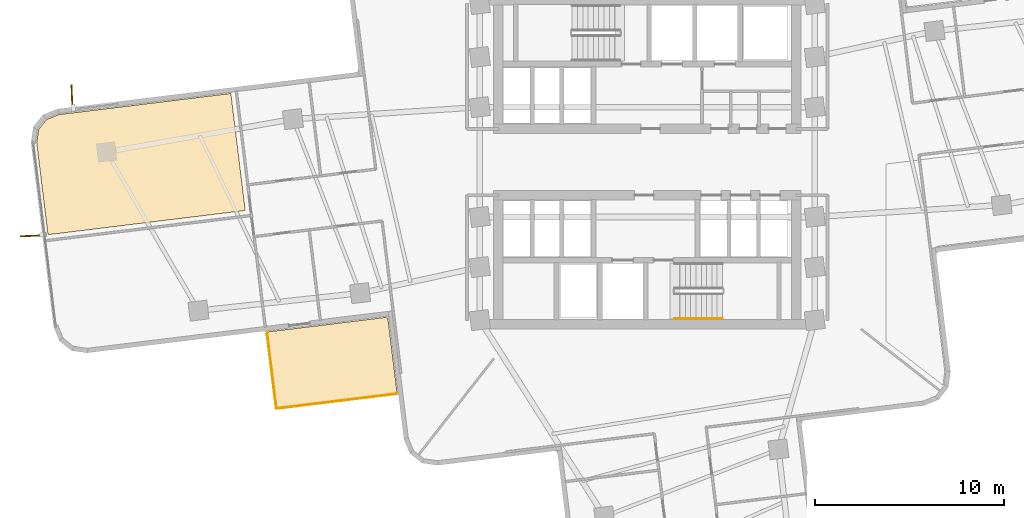
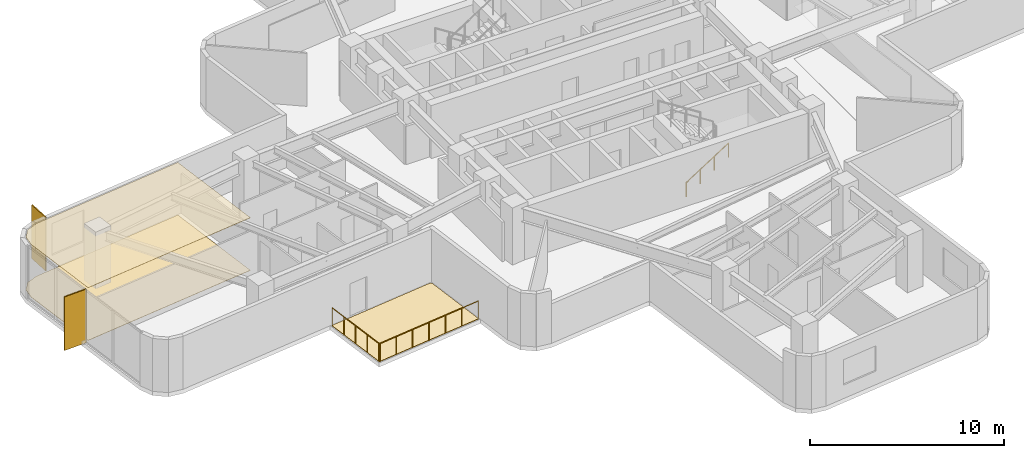
# One storey, part 11 of 13: 3 coverings, 3 railings, 2 shading devices.
"""IFC4 building model written with IfcOpenShell, lengths in metres."""

import ifcopenshell
import ifcopenshell.guid

model = None  # the IFC model being written
_history = None  # IfcOwnerHistory: only IFC2X3 demands one
_inside = {}  # id of a spatial element -> (the spatial element, [elements in it])
_under = {}  # id of a project, library or spatial element -> (it, [spatial elements below it])
_declared = {}  # id of a project -> (the project, [libraries it declares])
_typed = {}  # id of a type object -> (the type object, [elements of that type])
_made_of = {}  # id of a material, layer set ... -> (it, [elements and type objects made of it])


def new_model(schema):
    """Start an empty IFC model of exactly this schema.

    Asked for "IFC4X3", IfcOpenShell would pick the latest addendum, in which some entities
    have other attributes; the version numbers below select the first issue.
    IFC2X3 requires an IfcOwnerHistory on every rooted entity: one is made here for all.
    """
    global model, _history
    if schema == "IFC4X3":
        model = ifcopenshell.file(schema_version=(4, 3, 0, 0))
    else:
        model = ifcopenshell.file(schema=schema)
    _inside.clear()
    _under.clear()
    _declared.clear()
    _typed.clear()
    _made_of.clear()
    _history = None
    if model.schema == "IFC2X3":
        org = make("IfcOrganization", Name="unknown")
        user = make(
            "IfcPersonAndOrganization",
            ThePerson=make("IfcPerson", FamilyName="unknown"),
            TheOrganization=org,
        )
        app = make(
            "IfcApplication",
            ApplicationDeveloper=org,
            Version="unknown",
            ApplicationFullName="unknown",
            ApplicationIdentifier="unknown",
        )
        _history = make(
            "IfcOwnerHistory",
            OwningUser=user,
            OwningApplication=app,
            ChangeAction="ADDED",
            CreationDate=0,
        )
    return model


def make(cls, **values):
    """One entity of the class cls with the attributes given. An attribute that is None is left unset."""
    return model.create_entity(
        cls, **{name: value for name, value in values.items() if value is not None}
    )


def rooted(cls, **values):
    """An entity with a GlobalId (a new one), such as an element, a storey or a relation."""
    return make(cls, GlobalId=ifcopenshell.guid.new(), OwnerHistory=_history, **values)


def si_unit(unit_type, name, prefix=None):
    """IfcSIUnit, for example si_unit("LENGTHUNIT", "METRE", prefix="MILLI")."""
    return make("IfcSIUnit", UnitType=unit_type, Prefix=prefix, Name=name)


def assignment(units):
    """IfcUnitAssignment: the units of a project."""
    return None if units is None else make("IfcUnitAssignment", Units=units)


def point(xyz):
    """IfcCartesianPoint."""
    return None if xyz is None else make("IfcCartesianPoint", Coordinates=xyz)


def direction(xyz):
    """IfcDirection."""
    return None if xyz is None else make("IfcDirection", DirectionRatios=xyz)


def frame(location, z_axis=None, x_axis=None):
    """IfcAxis2Placement3D, a coordinate frame: its origin and axes. An axis left out is left unset."""
    return make(
        "IfcAxis2Placement3D",
        Location=point(location),
        Axis=direction(z_axis),
        RefDirection=direction(x_axis),
    )


def frame_2d(location, x_axis=None):
    """IfcAxis2Placement2D, a coordinate frame in the plane: its origin and x axis."""
    return make(
        "IfcAxis2Placement2D", Location=point(location), RefDirection=direction(x_axis)
    )


def origin():
    """The frame at (0, 0, 0) with its axes left unset."""
    return frame((0.0, 0.0, 0.0))


def origin_2d():
    """The frame at (0, 0) in the plane with its x axis left unset."""
    return frame_2d((0.0, 0.0))


def place(relative_to, where):
    """IfcLocalPlacement: puts the frame where relative to a parent placement (None: the world)."""
    return make(
        "IfcLocalPlacement", PlacementRelTo=relative_to, RelativePlacement=where
    )


def context(
    kind, dimensions, precision=None, world=None, true_north=None, identifier=None
):
    """IfcGeometricRepresentationContext, for example the 3D "Model" context."""
    return make(
        "IfcGeometricRepresentationContext",
        ContextIdentifier=identifier,
        ContextType=kind,
        CoordinateSpaceDimension=dimensions,
        Precision=precision,
        WorldCoordinateSystem=world,
        TrueNorth=true_north,
    )


def subcontext(parent, identifier, kind, view, scale=None):
    """IfcGeometricRepresentationSubContext, for example "Body" below "Model"."""
    return make(
        "IfcGeometricRepresentationSubContext",
        ContextIdentifier=identifier,
        ContextType=kind,
        ParentContext=parent,
        TargetScale=scale,
        TargetView=view,
    )


def project(units=None, contexts=None):
    """IfcProject with its units and contexts."""
    return rooted(
        "IfcProject",
        Name="project",
        RepresentationContexts=contexts,
        UnitsInContext=assignment(units),
    )


def spatial(cls, under=None, at=None, **own):
    """A site, building, storey or space (cls), placed at a placement, below another one or the project."""
    s = rooted(cls, ObjectPlacement=at, **own)
    if under is not None:
        _under.setdefault(under.id(), (under, []))[1].append(s)
    return s


def polyline(points):
    """IfcPolyline through the points."""
    return make("IfcPolyline", Points=[point(p) for p in points])


def profile(cls, at=None, kind="AREA", **sizes):
    """A parametric profile (cls). Its sizes go by their IFC names, for example OverallWidth=200.0."""
    return make(cls, ProfileType=kind, Position=at, **sizes)


def rectangle(**sizes):
    """IfcRectangleProfileDef."""
    return profile("IfcRectangleProfileDef", **sizes)


def circle(**sizes):
    """IfcCircleProfileDef."""
    return profile("IfcCircleProfileDef", **sizes)


def outline(outer, holes=None, kind="AREA"):
    """IfcArbitraryClosedProfileDef: a profile drawn as a closed curve; with holes, ...WithVoids."""
    if holes is None:
        return make("IfcArbitraryClosedProfileDef", ProfileType=kind, OuterCurve=outer)
    return make(
        "IfcArbitraryProfileDefWithVoids",
        ProfileType=kind,
        OuterCurve=outer,
        InnerCurves=holes,
    )


def extrude(swept, where, along, depth):
    """IfcExtrudedAreaSolid: the profile swept, set in the frame where, extruded along a direction by depth."""
    return make(
        "IfcExtrudedAreaSolid",
        SweptArea=swept,
        Position=where,
        ExtrudedDirection=direction(along),
        Depth=depth,
    )


def shape(context_of_items, identifier, shape_type, items):
    """IfcShapeRepresentation: the items that make up one representation, for example the "Body"."""
    return make(
        "IfcShapeRepresentation",
        ContextOfItems=context_of_items,
        RepresentationIdentifier=identifier,
        RepresentationType=shape_type,
        Items=items,
    )


def material(Name=None, Category=None):
    """IfcMaterial."""
    return make("IfcMaterial", Name=Name, Category=Category)


def layer(
    of_material, thickness, ventilated=None, Name=None, Category=None, Priority=None
):
    """IfcMaterialLayer: one layer of a wall or slab, of a material (None: an air gap)."""
    return make(
        "IfcMaterialLayer",
        Material=of_material,
        LayerThickness=thickness,
        IsVentilated=ventilated,
        Name=Name,
        Category=Category,
        Priority=Priority,
    )


def layer_set(layers, Name=None):
    """IfcMaterialLayerSet."""
    return make("IfcMaterialLayerSet", MaterialLayers=layers, LayerSetName=Name)


def made_of(thing, what):
    """Note that an element or type object is made of a material, layer set ...; save() writes the relation."""
    if what is not None:
        _made_of.setdefault(what.id(), (what, []))[1].append(thing)
    return thing


def type_object(cls, material=None, **own):
    """A type object (cls), such as IfcWallType, which elements share."""
    return made_of(rooted(cls, **own), material)


def element(
    cls,
    number,
    at=None,
    inside=None,
    cuts=None,
    type_object=None,
    material=None,
    context=None,
    identifier="Body",
    shape_type=None,
    held_by="IfcProductDefinitionShape",
    body=None,
    shapes=None,
    **own,
):
    """One element of the class cls, such as IfcWall. Its Tag is "e" and its number.

    at: its placement. inside: the storey or other place that contains it. cuts: it is an
    opening in that element (IfcRelVoidsElement). A single representation is given by context,
    identifier, shape_type and body (its items); several are given by shapes. held_by: the class
    of the entity that holds the representations. save() writes the other relations.
    """
    e = rooted(cls, Tag="e%d" % number, ObjectPlacement=at, **own)
    if body is not None:
        shapes = [shape(context, identifier, shape_type, body)]
    if shapes is not None:
        e.Representation = make(held_by, Representations=shapes)
    if inside is not None:
        _inside.setdefault(inside.id(), (inside, []))[1].append(e)
    if cuts is not None:
        rooted(
            "IfcRelVoidsElement", RelatingBuildingElement=cuts, RelatedOpeningElement=e
        )
    if type_object is not None:
        _typed.setdefault(type_object.id(), (type_object, []))[1].append(e)
    return made_of(e, material)


def aggregate(whole, parts):
    """IfcRelAggregates: a whole, such as a stair, and the parts it consists of."""
    return rooted("IfcRelAggregates", RelatingObject=whole, RelatedObjects=parts)


def save(model, path):
    """Write the relations noted so far, then the file.

    IfcRelAggregates (storeys below a building ...), IfcRelContainedInSpatialStructure (elements
    in a storey), IfcRelDefinesByType, IfcRelAssociatesMaterial and IfcRelDeclares: one each for
    every whole, place, type object, material and project.
    """
    for whole, parts in _under.values():
        aggregate(whole, parts)
    for where, things in _inside.values():
        rooted(
            "IfcRelContainedInSpatialStructure",
            RelatedElements=things,
            RelatingStructure=where,
        )
    for kind, things in _typed.values():
        rooted("IfcRelDefinesByType", RelatedObjects=things, RelatingType=kind)
    for what, things in _made_of.values():
        rooted("IfcRelAssociatesMaterial", RelatedObjects=things, RelatingMaterial=what)
    for by, libraries in _declared.values():
        rooted("IfcRelDeclares", RelatingContext=by, RelatedDefinitions=libraries)
    model.write(path)


model = new_model("IFC4")

# Units and contexts
model_context = context("Model", 3, precision=1e-05, world=origin(), true_north=direction((0.0, 1.0)))
body_context = subcontext(model_context, "Body", "Model", "MODEL_VIEW")
ifc_project = project(units=[si_unit("LENGTHUNIT", "METRE"), si_unit("AREAUNIT", "SQUARE_METRE"), si_unit("VOLUMEUNIT", "CUBIC_METRE"), si_unit("PLANEANGLEUNIT", "RADIAN"), si_unit("MASSUNIT", "GRAM", prefix="KILO")], contexts=[model_context])

# Site, building, storey
site_placement = place(None, origin())
site = spatial("IfcSite", under=ifc_project, at=site_placement, CompositionType="ELEMENT")
building_placement = place(site_placement, origin())
building = spatial("IfcBuilding", under=site, at=building_placement, Name="Solmarez Civic Tower", CompositionType="ELEMENT")
storey_placement = place(building_placement, frame((0.0, 0.0, 82.080078125)))
storey = spatial("IfcBuildingStorey", under=building, at=storey_placement, Name="L21", CompositionType="ELEMENT", Elevation=82.080078125)

# Coverings
ifc_material_1 = material(Name="Perforated Mineral-Fibre Acoustic Ceiling")
ifc_layer_1 = layer(ifc_material_1, 0.02490234375)
ifc_layer_set_1 = layer_set([ifc_layer_1], Name="Perforated Mineral-Fibre Acoustic Ceiling")
covering_type_1 = type_object("IfcCoveringType", Name="COV-CEIL-ACOUSTIC", PredefinedType="CEILING", material=ifc_layer_set_1)
covering_1_placement = place(storey_placement, frame((0.0, 0.0, 3.31494140625)))
element("IfcCovering", 1, at=covering_1_placement, inside=storey, type_object=covering_type_1, Name="L21 Suspended Acoustic Ceiling 2", PredefinedType="CEILING", context=body_context, shape_type="SweptSolid", body=[
    extrude(outline(polyline([(-22.006103515625, 3.625), (-31.097900390625, 2.509033203125), (-31.7548828125, 2.242919921875), (-32.1650390625, 1.717041015625), (-32.263916015625, 1.01611328125), (-31.66796875, -3.837890625), (-21.24609375, -2.55810546875), (-22.006103515625, 3.625)])), origin(), (0.0, 0.0, 1.0), 0.02490234375),
])
ifc_material_2 = material(Name="Polished Tropical Stone Terrazzo Flooring", Category="masonry")
ifc_layer_2 = layer(ifc_material_2, 0.02001953125)
ifc_layer_set_2 = layer_set([ifc_layer_2], Name="Polished Tropical Stone Terrazzo Flooring")
covering_type_2 = type_object("IfcCoveringType", Name="COV-FLOOR-TERRAZZO", PredefinedType="FLOORING", material=ifc_layer_set_2)
covering_2_placement = place(storey_placement, origin())
element("IfcCovering", 2, at=covering_2_placement, inside=storey, type_object=covering_type_2, Name="L21 Terrazzo Floor Finish 2", PredefinedType="FLOORING", context=body_context, shape_type="SweptSolid", body=[
    extrude(outline(polyline([(-22.006103515625, 3.625), (-31.097900390625, 2.509033203125), (-31.7548828125, 2.242919921875), (-32.1650390625, 1.717041015625), (-32.263916015625, 1.01611328125), (-31.66796875, -3.837890625), (-21.24609375, -2.55810546875), (-22.006103515625, 3.625)])), origin(), (0.0, 0.0, 1.0), 0.02001953125),
])
ifc_material_3 = material(Name="Elastomeric Terrace Waterproofing Membrane")
ifc_layer_3 = layer(ifc_material_3, 0.030029296875)
ifc_layer_set_3 = layer_set([ifc_layer_3], Name="Elastomeric Terrace Waterproofing Membrane")
covering_type_3 = type_object("IfcCoveringType", Name="COV-MEMBRANE-ROOF", PredefinedType="ROOFING", material=ifc_layer_set_3)
covering_3_placement = place(storey_placement, origin())
element("IfcCovering", 3, at=covering_3_placement, inside=storey, type_object=covering_type_3, Name="L21 Balcony Waterproofing SW", PredefinedType="ROOFING", context=body_context, shape_type="SweptSolid", body=[
    extrude(outline(polyline([(-13.697021484375, -8.35009765625), (-13.7451171875, -8.23193359375), (-13.8720703125, -8.214111328125), (-20.095947265625, -8.97802734375), (-19.59912109375, -13.02490234375), (-13.218994140625, -12.241943359375), (-13.697021484375, -8.35009765625)])), origin(), (0.0, 0.0, 1.0), 0.030029296875),
])

# Shading devices
ifc_material_4 = material(Name="Bronze Anodised Aluminium EN AW-6063 T6", Category="aluminium")
ifc_layer_4 = layer(ifc_material_4, 0.06494140625)
ifc_layer_set_4 = layer_set([ifc_layer_4], Name="Bronze Anodised Aluminium EN AW-6063 T6")
shading_device_type = type_object("IfcShadingDeviceType", Name="FIN-BRONZE-Z12", PredefinedType="USERDEFINED", material=ifc_layer_set_4)
for number, where, z_axis, x_axis, name in (
    (4, (-32.471923828125, -3.89599609375, -0.0400390625), (0.0, 0.0, 1.0), (-0.999150383341, -0.041213001213, 0.0), "L21 Anodised Bronze Solar Fin FIN-L21-01"),
    (5, (-30.40087890625, 3.406005859375, -0.0400390625), (0.0, 0.0, 1.0), (-0.04117812426, 0.999151821338, 0.0), "L21 Anodised Bronze Solar Fin FIN-L21-02"),
):
    element("IfcShadingDevice", number, at=place(storey_placement, frame(where, z_axis=z_axis, x_axis=x_axis)), inside=storey, type_object=shading_device_type, Name=name, ObjectType="FIN", PredefinedType="USERDEFINED", context=body_context, shape_type="SweptSolid", body=[
        extrude(rectangle(XDim=1.35009765625, YDim=0.06494140625, at=origin_2d()), origin(), (0.0, 0.0, 1.0), 3.3798828125),
    ])

# Railings
ifc_material_5 = material(Name="Bronze Anodised Aluminium and Laminated Safety Glass Balustrade", Category="aluminium")
railing_type_1 = type_object("IfcRailingType", Name="GUARD-TERR-1180", PredefinedType="BALUSTRADE", material=ifc_material_5)
railing_1_placement = place(storey_placement, frame((-20.092041015625, -9.012939453125, 0.0)))
element("IfcRailing", 6, at=railing_1_placement, inside=storey, type_object=railing_type_1, Name="L21 Safety Balustrade GRD-BALC-L21-SW-1", PredefinedType="BALUSTRADE", context=body_context, shape_type="SweptSolid", body=[
    extrude(circle(Radius=0.02392578125, at=origin_2d()), frame((0.0, 0.0, 1.15576171875), z_axis=(0.122039778732, -0.99252520996, 0.0), x_axis=(0.99252520996, 0.122039778732, 0.0)), (0.0, 0.0, 1.0), 4.007080078125),
    extrude(circle(Radius=0.02099609375, at=origin_2d()), origin(), (0.0, 0.0, 1.0), 1.1318359375),
    extrude(circle(Radius=0.02099609375, at=origin_2d()), frame((0.122314453125, -0.994140625, 0.0)), (0.0, 0.0, 1.0), 1.1318359375),
    extrude(circle(Radius=0.02099609375, at=origin_2d()), frame((0.24462890625, -1.988525390625, 0.0)), (0.0, 0.0, 1.0), 1.1318359375),
    extrude(circle(Radius=0.02099609375, at=origin_2d()), frame((0.36669921875, -2.98291015625, 0.0)), (0.0, 0.0, 1.0), 1.1318359375),
    extrude(circle(Radius=0.02099609375, at=origin_2d()), frame((0.489013671875, -3.97705078125, 0.0)), (0.0, 0.0, 1.0), 1.1318359375),
])
railing_2_placement = place(storey_placement, frame((-19.56396484375, -13.02099609375, 0.0)))
element("IfcRailing", 7, at=railing_2_placement, inside=storey, type_object=railing_type_1, Name="L21 Safety Balustrade GRD-BALC-L21-SW-2", PredefinedType="BALUSTRADE", context=body_context, shape_type="SweptSolid", body=[
    extrude(circle(Radius=0.02392578125, at=origin_2d()), frame((0.0, 0.0, 1.15576171875), z_axis=(0.992543781308, 0.121888646671, 0.0), x_axis=(-0.121888646671, 0.992543781308, 0.0)), (0.0, 0.0, 1.0), 6.357421875),
    extrude(circle(Radius=0.02099609375, at=origin_2d()), origin(), (0.0, 0.0, 1.0), 1.1318359375),
    extrude(circle(Radius=0.02099609375, at=origin_2d()), frame((1.0517578125, 0.129150390625, 0.0)), (0.0, 0.0, 1.0), 1.1318359375),
    extrude(circle(Radius=0.02099609375, at=origin_2d()), frame((2.103271484375, 0.25830078125, 0.0)), (0.0, 0.0, 1.0), 1.1318359375),
    extrude(circle(Radius=0.02099609375, at=origin_2d()), frame((3.155029296875, 0.387451171875, 0.0)), (0.0, 0.0, 1.0), 1.1318359375),
    extrude(circle(Radius=0.02099609375, at=origin_2d()), frame((4.206787109375, 0.5166015625, 0.0)), (0.0, 0.0, 1.0), 1.1318359375),
    extrude(circle(Radius=0.02099609375, at=origin_2d()), frame((5.25830078125, 0.645751953125, 0.0)), (0.0, 0.0, 1.0), 1.1318359375),
    extrude(circle(Radius=0.02099609375, at=origin_2d()), frame((6.31005859375, 0.77490234375, 0.0)), (0.0, 0.0, 1.0), 1.1318359375),
])
ifc_material_6 = material(Name="Brushed Stainless Steel Tube Handrail", Category="steel")
railing_type_2 = type_object("IfcRailingType", Name="HANDRAIL-STAIR-900", PredefinedType="HANDRAIL", material=ifc_material_6)
railing_3_placement = place(storey_placement, frame((1.449951171875, -8.27001953125, 0.179931640625)))
element("IfcRailing", 8, at=railing_3_placement, inside=storey, type_object=railing_type_2, Name="L21 ST-2 stair handrail 1", PredefinedType="HANDRAIL", context=body_context, shape_type="SweptSolid", body=[
    extrude(circle(Radius=0.02392578125, at=origin_2d()), frame((0.0, 0.0, 0.8759765625), z_axis=(0.841199657755, 0.0, 0.540724639528), x_axis=(0.0, 1.0, 0.0)), (0.0, 0.0, 1.0), 2.995849609375),
    extrude(circle(Radius=0.02099609375, at=origin_2d()), origin(), (0.0, 0.0, 1.0), 0.851806640625),
    extrude(circle(Radius=0.02099609375, at=origin_2d()), frame((0.840087890625, 0.0, 0.5400390625)), (0.0, 0.0, 1.0), 0.851806640625),
    extrude(circle(Radius=0.02099609375, at=origin_2d()), frame((1.679931640625, 0.0, 1.079833984375)), (0.0, 0.0, 1.0), 0.851806640625),
    extrude(circle(Radius=0.02099609375, at=origin_2d()), frame((2.52001953125, 0.0, 1.619873046875)), (0.0, 0.0, 1.0), 0.851806640625),
])

save(model, "model.ifc")
